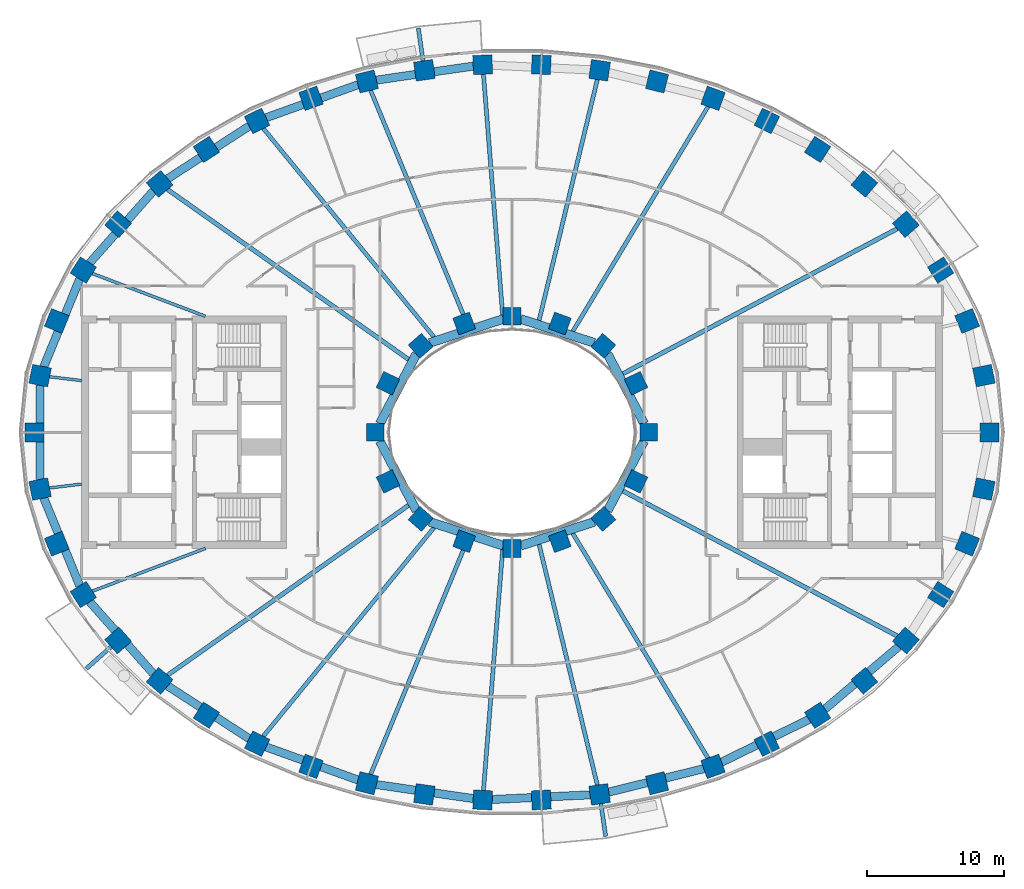
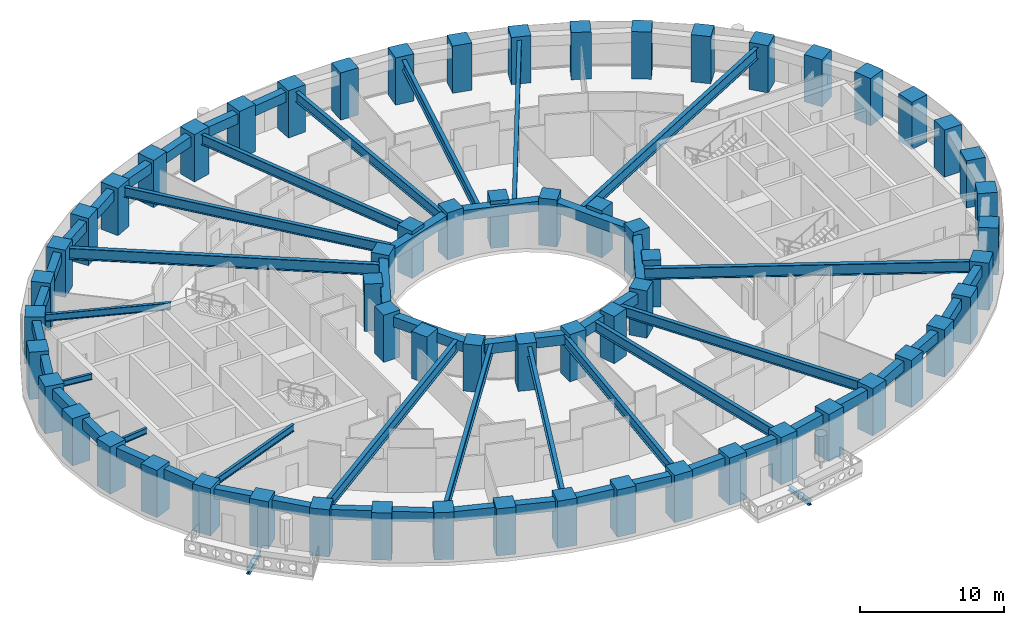
# One storey, part 1 of 16: 62 columns, 44 beams.
"""IFC4 building model written with IfcOpenShell, lengths in metres."""

import ifcopenshell
import ifcopenshell.guid

model = None  # the IFC model being written
_history = None  # IfcOwnerHistory: only IFC2X3 demands one
_inside = {}  # id of a spatial element -> (the spatial element, [elements in it])
_under = {}  # id of a project, library or spatial element -> (it, [spatial elements below it])
_declared = {}  # id of a project -> (the project, [libraries it declares])
_typed = {}  # id of a type object -> (the type object, [elements of that type])
_made_of = {}  # id of a material, layer set ... -> (it, [elements and type objects made of it])


def new_model(schema):
    """Start an empty IFC model of exactly this schema.

    Asked for "IFC4X3", IfcOpenShell would pick the latest addendum, in which some entities
    have other attributes; the version numbers below select the first issue.
    IFC2X3 requires an IfcOwnerHistory on every rooted entity: one is made here for all.
    """
    global model, _history
    if schema == "IFC4X3":
        model = ifcopenshell.file(schema_version=(4, 3, 0, 0))
    else:
        model = ifcopenshell.file(schema=schema)
    _inside.clear()
    _under.clear()
    _declared.clear()
    _typed.clear()
    _made_of.clear()
    _history = None
    if model.schema == "IFC2X3":
        org = make("IfcOrganization", Name="unknown")
        user = make(
            "IfcPersonAndOrganization",
            ThePerson=make("IfcPerson", FamilyName="unknown"),
            TheOrganization=org,
        )
        app = make(
            "IfcApplication",
            ApplicationDeveloper=org,
            Version="unknown",
            ApplicationFullName="unknown",
            ApplicationIdentifier="unknown",
        )
        _history = make(
            "IfcOwnerHistory",
            OwningUser=user,
            OwningApplication=app,
            ChangeAction="ADDED",
            CreationDate=0,
        )
    return model


def make(cls, **values):
    """One entity of the class cls with the attributes given. An attribute that is None is left unset."""
    return model.create_entity(
        cls, **{name: value for name, value in values.items() if value is not None}
    )


def rooted(cls, **values):
    """An entity with a GlobalId (a new one), such as an element, a storey or a relation."""
    return make(cls, GlobalId=ifcopenshell.guid.new(), OwnerHistory=_history, **values)


def si_unit(unit_type, name, prefix=None):
    """IfcSIUnit, for example si_unit("LENGTHUNIT", "METRE", prefix="MILLI")."""
    return make("IfcSIUnit", UnitType=unit_type, Prefix=prefix, Name=name)


def assignment(units):
    """IfcUnitAssignment: the units of a project."""
    return None if units is None else make("IfcUnitAssignment", Units=units)


def point(xyz):
    """IfcCartesianPoint."""
    return None if xyz is None else make("IfcCartesianPoint", Coordinates=xyz)


def direction(xyz):
    """IfcDirection."""
    return None if xyz is None else make("IfcDirection", DirectionRatios=xyz)


def frame(location, z_axis=None, x_axis=None):
    """IfcAxis2Placement3D, a coordinate frame: its origin and axes. An axis left out is left unset."""
    return make(
        "IfcAxis2Placement3D",
        Location=point(location),
        Axis=direction(z_axis),
        RefDirection=direction(x_axis),
    )


def frame_2d(location, x_axis=None):
    """IfcAxis2Placement2D, a coordinate frame in the plane: its origin and x axis."""
    return make(
        "IfcAxis2Placement2D", Location=point(location), RefDirection=direction(x_axis)
    )


def origin():
    """The frame at (0, 0, 0) with its axes left unset."""
    return frame((0.0, 0.0, 0.0))


def origin_2d():
    """The frame at (0, 0) in the plane with its x axis left unset."""
    return frame_2d((0.0, 0.0))


def place(relative_to, where):
    """IfcLocalPlacement: puts the frame where relative to a parent placement (None: the world)."""
    return make(
        "IfcLocalPlacement", PlacementRelTo=relative_to, RelativePlacement=where
    )


def context(
    kind, dimensions, precision=None, world=None, true_north=None, identifier=None
):
    """IfcGeometricRepresentationContext, for example the 3D "Model" context."""
    return make(
        "IfcGeometricRepresentationContext",
        ContextIdentifier=identifier,
        ContextType=kind,
        CoordinateSpaceDimension=dimensions,
        Precision=precision,
        WorldCoordinateSystem=world,
        TrueNorth=true_north,
    )


def subcontext(parent, identifier, kind, view, scale=None):
    """IfcGeometricRepresentationSubContext, for example "Body" below "Model"."""
    return make(
        "IfcGeometricRepresentationSubContext",
        ContextIdentifier=identifier,
        ContextType=kind,
        ParentContext=parent,
        TargetScale=scale,
        TargetView=view,
    )


def project(units=None, contexts=None):
    """IfcProject with its units and contexts."""
    return rooted(
        "IfcProject",
        Name="project",
        RepresentationContexts=contexts,
        UnitsInContext=assignment(units),
    )


def spatial(cls, under=None, at=None, **own):
    """A site, building, storey or space (cls), placed at a placement, below another one or the project."""
    s = rooted(cls, ObjectPlacement=at, **own)
    if under is not None:
        _under.setdefault(under.id(), (under, []))[1].append(s)
    return s


def profile(cls, at=None, kind="AREA", **sizes):
    """A parametric profile (cls). Its sizes go by their IFC names, for example OverallWidth=200.0."""
    return make(cls, ProfileType=kind, Position=at, **sizes)


def rectangle(**sizes):
    """IfcRectangleProfileDef."""
    return profile("IfcRectangleProfileDef", **sizes)


def i_section(**sizes):
    """IfcIShapeProfileDef."""
    return profile("IfcIShapeProfileDef", **sizes)


def extrude(swept, where, along, depth):
    """IfcExtrudedAreaSolid: the profile swept, set in the frame where, extruded along a direction by depth."""
    return make(
        "IfcExtrudedAreaSolid",
        SweptArea=swept,
        Position=where,
        ExtrudedDirection=direction(along),
        Depth=depth,
    )


def shape(context_of_items, identifier, shape_type, items):
    """IfcShapeRepresentation: the items that make up one representation, for example the "Body"."""
    return make(
        "IfcShapeRepresentation",
        ContextOfItems=context_of_items,
        RepresentationIdentifier=identifier,
        RepresentationType=shape_type,
        Items=items,
    )


def material(Name=None, Category=None):
    """IfcMaterial."""
    return make("IfcMaterial", Name=Name, Category=Category)


def material_profile(
    of_material, cross_section, Name=None, Category=None, Priority=None
):
    """IfcMaterialProfile: a cross section and its material."""
    return make(
        "IfcMaterialProfile",
        Name=Name,
        Material=of_material,
        Profile=cross_section,
        Priority=Priority,
        Category=Category,
    )


def profile_set(profiles, Name=None, composite=None):
    """IfcMaterialProfileSet."""
    return make(
        "IfcMaterialProfileSet",
        Name=Name,
        MaterialProfiles=profiles,
        CompositeProfile=composite,
    )


def made_of(thing, what):
    """Note that an element or type object is made of a material, layer set ...; save() writes the relation."""
    if what is not None:
        _made_of.setdefault(what.id(), (what, []))[1].append(thing)
    return thing


def type_object(cls, material=None, **own):
    """A type object (cls), such as IfcWallType, which elements share."""
    return made_of(rooted(cls, **own), material)


def element(
    cls,
    number,
    at=None,
    inside=None,
    cuts=None,
    type_object=None,
    material=None,
    context=None,
    identifier="Body",
    shape_type=None,
    held_by="IfcProductDefinitionShape",
    body=None,
    shapes=None,
    **own,
):
    """One element of the class cls, such as IfcWall. Its Tag is "e" and its number.

    at: its placement. inside: the storey or other place that contains it. cuts: it is an
    opening in that element (IfcRelVoidsElement). A single representation is given by context,
    identifier, shape_type and body (its items); several are given by shapes. held_by: the class
    of the entity that holds the representations. save() writes the other relations.
    """
    e = rooted(cls, Tag="e%d" % number, ObjectPlacement=at, **own)
    if body is not None:
        shapes = [shape(context, identifier, shape_type, body)]
    if shapes is not None:
        e.Representation = make(held_by, Representations=shapes)
    if inside is not None:
        _inside.setdefault(inside.id(), (inside, []))[1].append(e)
    if cuts is not None:
        rooted(
            "IfcRelVoidsElement", RelatingBuildingElement=cuts, RelatedOpeningElement=e
        )
    if type_object is not None:
        _typed.setdefault(type_object.id(), (type_object, []))[1].append(e)
    return made_of(e, material)


def aggregate(whole, parts):
    """IfcRelAggregates: a whole, such as a stair, and the parts it consists of."""
    return rooted("IfcRelAggregates", RelatingObject=whole, RelatedObjects=parts)


def save(model, path):
    """Write the relations noted so far, then the file.

    IfcRelAggregates (storeys below a building ...), IfcRelContainedInSpatialStructure (elements
    in a storey), IfcRelDefinesByType, IfcRelAssociatesMaterial and IfcRelDeclares: one each for
    every whole, place, type object, material and project.
    """
    for whole, parts in _under.values():
        aggregate(whole, parts)
    for where, things in _inside.values():
        rooted(
            "IfcRelContainedInSpatialStructure",
            RelatedElements=things,
            RelatingStructure=where,
        )
    for kind, things in _typed.values():
        rooted("IfcRelDefinesByType", RelatedObjects=things, RelatingType=kind)
    for what, things in _made_of.values():
        rooted("IfcRelAssociatesMaterial", RelatedObjects=things, RelatingMaterial=what)
    for by, libraries in _declared.values():
        rooted("IfcRelDeclares", RelatingContext=by, RelatedDefinitions=libraries)
    model.write(path)


model = new_model("IFC4")

# Units and contexts
model_context = context("Model", 3, precision=1e-05, world=origin(), true_north=direction((0.0, 1.0)))
body_context = subcontext(model_context, "Body", "Model", "MODEL_VIEW")
ifc_project = project(units=[si_unit("LENGTHUNIT", "METRE"), si_unit("AREAUNIT", "SQUARE_METRE"), si_unit("VOLUMEUNIT", "CUBIC_METRE"), si_unit("PLANEANGLEUNIT", "RADIAN"), si_unit("MASSUNIT", "GRAM", prefix="KILO")], contexts=[model_context])

# Site, building, storey
site_placement = place(None, origin())
site = spatial("IfcSite", under=ifc_project, at=site_placement, CompositionType="ELEMENT")
building_placement = place(site_placement, origin())
building = spatial("IfcBuilding", under=site, at=building_placement, Name="Noorbagh Ring Tower", CompositionType="ELEMENT")
storey_placement = place(building_placement, frame((0.0, 0.0, 78.5)))
storey = spatial("IfcBuildingStorey", under=building, at=storey_placement, Name="L17", CompositionType="ELEMENT", Elevation=78.5)

# Columns
ifc_material_1 = material(Name="Concrete C70/85", Category="concrete")
ifc_material_profile_1 = material_profile(ifc_material_1, rectangle(XDim=1.39990234375, YDim=1.39990234375, at=origin_2d()), Name="RC1400x1400")
ifc_profile_set_1 = profile_set([ifc_material_profile_1], Name="Concrete C70/85")
column_type_1 = type_object("IfcColumnType", Name="STR-COL-RC1400x1400-C70-85", PredefinedType="COLUMN", material=ifc_profile_set_1)
for number, where, z_axis, x_axis, name in (
    (1, (34.944580078125, 0.0, 0.0), (0.0, 0.0, 1.0), (0.0, 1.0, 0.0), "L17/col/R1-01"),
    (2, (34.52685546875, 4.150634765625, 0.0), (0.0, 0.0, 1.0), (-0.19723040178, 0.9803571638, 0.0), "L17/col/R1-02"),
    (3, (33.30517578125, 8.1494140625, 0.0), (0.0, 0.0, 1.0), (-0.378989499959, 0.925400971969, 0.0), "L17/col/R1-03"),
    (4, (31.364990234375, 11.87109375, 0.0), (0.0, 0.0, 1.0), (-0.535190403059, 0.844731455833, 0.0), "L17/col/R1-04"),
    (5, (28.81884765625, 15.23046875, 0.0), (0.0, 0.0, 1.0), (-0.662635642662, 0.748941923699, 0.0), "L17/col/R1-05"),
    (6, (25.78271484375, 18.180419921875, 0.0), (0.0, 0.0, 1.0), (-0.763035199656, 0.646356932419, 0.0), "L17/col/R1-06"),
    (7, (22.362060546875, 20.699951171875, 0.0), (0.0, 0.0, 1.0), (-0.840247639643, 0.542202825586, 0.0), "L17/col/R1-07"),
    (8, (18.646240234375, 22.785400390625, 0.0), (0.0, 0.0, 1.0), (-0.898399080868, 0.439180021741, 0.0), "L17/col/R1-08"),
    (9, (14.70947265625, 24.44091796875, 0.0), (0.0, 0.0, 1.0), (-0.941024726094, 0.338337797003, 0.0), "L17/col/R1-09"),
    (10, (10.61328125, 25.673583984375, 0.0), (0.0, 0.0, 1.0), (-0.970829360981, 0.239771457553, 0.0), "L17/col/R1-10"),
    (11, (6.4091796875, 26.49072265625, 0.0), (0.0, 0.0, 1.0), (-0.989713114048, 0.143066249975, 0.0), "L17/col/R1-11"),
    (12, (2.14306640625, 26.89794921875, 0.0), (0.0, 0.0, 1.0), (-0.998868731212, 0.047552684538, 0.0), "L17/col/R1-12"),
    (13, (-2.14306640625, 26.89794921875, 0.0), (0.0, 0.0, 1.0), (-0.998868731212, -0.047552684538, 0.0), "L17/col/R1-13"),
    (14, (-6.4091796875, 26.49072265625, 0.0), (0.0, 0.0, 1.0), (-0.989713114048, -0.143066249975, 0.0), "L17/col/R1-14"),
    (15, (-10.61328125, 25.673583984375, 0.0), (0.0, 0.0, 1.0), (-0.970829360981, -0.239771457553, 0.0), "L17/col/R1-15"),
    (16, (-14.70947265625, 24.44091796875, 0.0), (0.0, 0.0, 1.0), (-0.941024726094, -0.338337797003, 0.0), "L17/col/R1-16"),
    (17, (-18.646240234375, 22.785400390625, 0.0), (0.0, 0.0, 1.0), (-0.898399080868, -0.439180021741, 0.0), "L17/col/R1-17"),
    (18, (-22.362060546875, 20.699951171875, 0.0), (0.0, 0.0, 1.0), (-0.840247639643, -0.542202825586, 0.0), "L17/col/R1-18"),
    (19, (-25.78271484375, 18.180419921875, 0.0), (0.0, 0.0, 1.0), (-0.763035199656, -0.646356932419, 0.0), "L17/col/R1-19"),
    (20, (-28.81884765625, 15.23046875, 0.0), (0.0, 0.0, 1.0), (-0.662635642662, -0.748941923699, 0.0), "L17/col/R1-20"),
    (21, (-31.364990234375, 11.87109375, 0.0), (0.0, 0.0, 1.0), (-0.535190403059, -0.844731455833, 0.0), "L17/col/R1-21"),
    (22, (-33.30517578125, 8.1494140625, 0.0), (0.0, 0.0, 1.0), (-0.378989499959, -0.925400971969, 0.0), "L17/col/R1-22"),
    (23, (-34.52685546875, 4.150634765625, 0.0), (0.0, 0.0, 1.0), (-0.19723040178, -0.9803571638, 0.0), "L17/col/R1-23"),
    (24, (-34.944580078125, 0.0, 0.0), (0.0, 0.0, 1.0), (0.0, -1.0, 0.0), "L17/col/R1-24"),
    (25, (-34.52685546875, -4.150634765625, 0.0), (0.0, 0.0, 1.0), (0.19723040178, -0.9803571638, 0.0), "L17/col/R1-25"),
    (26, (-33.30517578125, -8.1494140625, 0.0), (0.0, 0.0, 1.0), (0.378989499959, -0.925400971969, 0.0), "L17/col/R1-26"),
    (27, (-31.364990234375, -11.87109375, 0.0), (0.0, 0.0, 1.0), (0.535190403059, -0.844731455833, 0.0), "L17/col/R1-27"),
    (28, (-28.81884765625, -15.23046875, 0.0), (0.0, 0.0, 1.0), (0.662635642662, -0.748941923699, 0.0), "L17/col/R1-28"),
    (29, (-25.78271484375, -18.180419921875, 0.0), (0.0, 0.0, 1.0), (0.763035199656, -0.646356932419, 0.0), "L17/col/R1-29"),
    (30, (-22.362060546875, -20.699951171875, 0.0), (0.0, 0.0, 1.0), (0.840247639643, -0.542202825586, 0.0), "L17/col/R1-30"),
    (31, (-18.646240234375, -22.785400390625, 0.0), (0.0, 0.0, 1.0), (0.898399080868, -0.439180021741, 0.0), "L17/col/R1-31"),
    (32, (-14.70947265625, -24.44091796875, 0.0), (0.0, 0.0, 1.0), (0.941024726094, -0.338337797003, 0.0), "L17/col/R1-32"),
    (33, (-10.61328125, -25.673583984375, 0.0), (0.0, 0.0, 1.0), (0.970829360981, -0.239771457553, 0.0), "L17/col/R1-33"),
    (34, (-6.4091796875, -26.49072265625, 0.0), (0.0, 0.0, 1.0), (0.989713114048, -0.143066249975, 0.0), "L17/col/R1-34"),
    (35, (-2.14306640625, -26.89794921875, 0.0), (0.0, 0.0, 1.0), (0.998868731212, -0.047552684538, 0.0), "L17/col/R1-35"),
    (36, (2.14306640625, -26.89794921875, 0.0), (0.0, 0.0, 1.0), (0.998868731212, 0.047552684538, 0.0), "L17/col/R1-36"),
    (37, (6.4091796875, -26.49072265625, 0.0), (0.0, 0.0, 1.0), (0.989713114048, 0.143066249975, 0.0), "L17/col/R1-37"),
    (38, (10.61328125, -25.673583984375, 0.0), (0.0, 0.0, 1.0), (0.970829360981, 0.239771457553, 0.0), "L17/col/R1-38"),
    (39, (14.70947265625, -24.44091796875, 0.0), (0.0, 0.0, 1.0), (0.941024726094, 0.338337797003, 0.0), "L17/col/R1-39"),
    (40, (18.646240234375, -22.785400390625, 0.0), (0.0, 0.0, 1.0), (0.898399080868, 0.439180021741, 0.0), "L17/col/R1-40"),
    (41, (22.362060546875, -20.699951171875, 0.0), (0.0, 0.0, 1.0), (0.840247639643, 0.542202825586, 0.0), "L17/col/R1-41"),
    (42, (25.78271484375, -18.180419921875, 0.0), (0.0, 0.0, 1.0), (0.763035199656, 0.646356932419, 0.0), "L17/col/R1-42"),
    (43, (28.81884765625, -15.23046875, 0.0), (0.0, 0.0, 1.0), (0.662635642662, 0.748941923699, 0.0), "L17/col/R1-43"),
    (44, (31.364990234375, -11.87109375, 0.0), (0.0, 0.0, 1.0), (0.535190403059, 0.844731455833, 0.0), "L17/col/R1-44"),
    (45, (33.30517578125, -8.1494140625, 0.0), (0.0, 0.0, 1.0), (0.378989499959, 0.925400971969, 0.0), "L17/col/R1-45"),
    (46, (34.52685546875, -4.150634765625, 0.0), (0.0, 0.0, 1.0), (0.19723040178, 0.9803571638, 0.0), "L17/col/R1-46"),
):
    element("IfcColumn", number, at=place(storey_placement, frame(where, z_axis=z_axis, x_axis=x_axis)), inside=storey, type_object=column_type_1, Name=name, PredefinedType="COLUMN", context=body_context, shape_type="SweptSolid", body=[
        extrude(rectangle(XDim=1.39990234375, YDim=1.39990234375, at=origin_2d()), origin(), (0.0, 0.0, 1.0), 4.0),
    ])
ifc_material_2 = material(Name="Concrete C70/85", Category="concrete")
ifc_material_profile_2 = material_profile(ifc_material_2, rectangle(XDim=1.300048828125, YDim=1.300048828125, at=origin_2d()), Name="RC1300x1300")
ifc_profile_set_2 = profile_set([ifc_material_profile_2], Name="Concrete C70/85")
column_type_2 = type_object("IfcColumnType", Name="STR-ICOL-RC1300x1300-C70-85", PredefinedType="COLUMN", material=ifc_profile_set_2)
for number, where, z_axis, x_axis, name in (
    (47, (10.00830078125, 0.0, 0.0), (0.0, 0.0, 1.0), (0.0, 1.0, 0.0), "L17/col/IR2-W01"),
    (48, (9.07568359375, 3.58837890625, 0.0), (0.0, 0.0, 1.0), (-0.428666979171, 0.903462573087, 0.0), "L17/col/IR2-W03"),
    (49, (6.68212890625, 6.333740234375, 0.0), (0.0, 0.0, 1.0), (-0.75102249095, 0.660276622399, 0.0), "L17/col/IR2-W05"),
    (50, (3.5009765625, 7.967041015625, 0.0), (0.0, 0.0, 1.0), (-0.939019578916, 0.343863679984, 0.0), "L17/col/IR2-W07"),
    (51, (0.0, 8.5029296875, 0.0), (0.0, 0.0, 1.0), (-1.0, 0.0, 0.0), "L17/col/IR2-W09"),
    (52, (-3.5009765625, 7.967041015625, 0.0), (0.0, 0.0, 1.0), (-0.939019578916, -0.343863679984, 0.0), "L17/col/IR2-W11"),
    (53, (-6.68212890625, 6.333740234375, 0.0), (0.0, 0.0, 1.0), (-0.75102249095, -0.660276622399, 0.0), "L17/col/IR2-W13"),
    (54, (-9.07568359375, 3.58837890625, 0.0), (0.0, 0.0, 1.0), (-0.428666979171, -0.903462573087, 0.0), "L17/col/IR2-W15"),
    (55, (-10.00830078125, 0.0, 0.0), (0.0, 0.0, 1.0), (0.0, -1.0, 0.0), "L17/col/IR2-W17"),
    (56, (-9.07568359375, -3.58837890625, 0.0), (0.0, 0.0, 1.0), (0.428666979171, -0.903462573087, 0.0), "L17/col/IR2-W19"),
    (57, (-6.68212890625, -6.333740234375, 0.0), (0.0, 0.0, 1.0), (0.75102249095, -0.660276622399, 0.0), "L17/col/IR2-W21"),
    (58, (-3.5009765625, -7.967041015625, 0.0), (0.0, 0.0, 1.0), (0.939019578916, -0.343863679984, 0.0), "L17/col/IR2-W23"),
    (59, (0.0, -8.5029296875, 0.0), (0.0, 0.0, 1.0), (1.0, 0.0, 0.0), "L17/col/IR2-W25"),
    (60, (3.5009765625, -7.967041015625, 0.0), (0.0, 0.0, 1.0), (0.939019578916, 0.343863679984, 0.0), "L17/col/IR2-W27"),
    (61, (6.68212890625, -6.333740234375, 0.0), (0.0, 0.0, 1.0), (0.75102249095, 0.660276622399, 0.0), "L17/col/IR2-W29"),
    (62, (9.07568359375, -3.58837890625, 0.0), (0.0, 0.0, 1.0), (0.428666979171, 0.903462573087, 0.0), "L17/col/IR2-W31"),
):
    element("IfcColumn", number, at=place(storey_placement, frame(where, z_axis=z_axis, x_axis=x_axis)), inside=storey, type_object=column_type_2, Name=name, PredefinedType="COLUMN", context=body_context, shape_type="SweptSolid", body=[
        extrude(rectangle(XDim=1.300048828125, YDim=1.300048828125, at=origin_2d()), origin(), (0.0, 0.0, 1.0), 4.0),
    ])

# Beams
ifc_material_3 = material(Name="Steel S355", Category="steel")
ifc_material_profile_3 = material_profile(ifc_material_3, i_section(OverallWidth=0.300048828125, OverallDepth=0.39990234375, WebThickness=0.013427734375, FlangeThickness=0.02392578125, FilletRadius=0.027099609375, at=origin_2d()), Name="HEB400")
ifc_profile_set_3 = profile_set([ifc_material_profile_3], Name="Steel S355")
beam_type_1 = type_object("IfcBeamType", Name="STR-BALCONY-BRACKET-HEB400", PredefinedType="BEAM", material=ifc_profile_set_3)
beam_1_placement = place(storey_placement, frame((-6.506591796875, 27.163818359375, -0.5), z_axis=(-0.143028732143, 0.989718536646, 0.0), x_axis=(-0.989718536646, -0.143028732143, 0.0)))
element("IfcBeam", 63, at=beam_1_placement, inside=storey, type_object=beam_type_1, Name="Balcony bracket beam BN04", PredefinedType="BEAM", context=body_context, shape_type="SweptSolid", body=[
    extrude(i_section(OverallWidth=0.300048828125, OverallDepth=0.39990234375, WebThickness=0.013427734375, FlangeThickness=0.02392578125, FilletRadius=0.027099609375, at=origin_2d()), origin(), (0.0, 0.0, 1.0), 2.423828125),
])
beam_2_placement = place(storey_placement, frame((-29.328125, -15.680908203125, -0.5), z_axis=(-0.74904259367, -0.662521843314, 0.0), x_axis=(0.662521843314, -0.74904259367, 0.0)))
element("IfcBeam", 64, at=beam_2_placement, inside=storey, type_object=beam_type_1, Name="Balcony bracket beam BS01", PredefinedType="BEAM", context=body_context, shape_type="SweptSolid", body=[
    extrude(i_section(OverallWidth=0.300048828125, OverallDepth=0.39990234375, WebThickness=0.013427734375, FlangeThickness=0.02392578125, FilletRadius=0.027099609375, at=origin_2d()), origin(), (0.0, 0.0, 1.0), 2.429443359375),
])
beam_3_placement = place(storey_placement, frame((6.506591796875, -27.163818359375, -0.5), z_axis=(0.143028732143, -0.989718536646, 0.0), x_axis=(0.989718536646, 0.143028732143, 0.0)))
element("IfcBeam", 65, at=beam_3_placement, inside=storey, type_object=beam_type_1, Name="Balcony bracket beam BS04", PredefinedType="BEAM", context=body_context, shape_type="SweptSolid", body=[
    extrude(i_section(OverallWidth=0.300048828125, OverallDepth=0.39990234375, WebThickness=0.013427734375, FlangeThickness=0.02392578125, FilletRadius=0.027099609375, at=origin_2d()), origin(), (0.0, 0.0, 1.0), 2.423828125),
])
ifc_material_4 = material(Name="Steel S355", Category="steel")
ifc_material_profile_4 = material_profile(ifc_material_4, i_section(OverallWidth=0.199951171875, OverallDepth=0.5, WebThickness=0.01025390625, FlangeThickness=0.01611328125, FilletRadius=0.02099609375, at=origin_2d()), Name="IPE500")
ifc_profile_set_4 = profile_set([ifc_material_profile_4], Name="Steel S355")
beam_type_2 = type_object("IfcBeamType", Name="STR-RAD-IPE500", PredefinedType="BEAM", material=ifc_profile_set_4)
for number, where, z_axis, x_axis, name in (
    (66, (-33.849365234375, 4.0693359375, 3.449951171875), (0.992846305677, -0.119399385689, 0.0), (0.119399385689, 0.992846305677, 0.0), "L17/bm/RD23"),
    (67, (-33.849365234375, -4.0693359375, 3.449951171875), (0.992846305677, 0.119399385689, 0.0), (-0.119399385689, 0.992846305677, 0.0), "L17/bm/RD25"),
):
    element("IfcBeam", number, at=place(storey_placement, frame(where, z_axis=z_axis, x_axis=x_axis)), inside=storey, type_object=beam_type_2, Name=name, PredefinedType="BEAM", context=body_context, shape_type="SweptSolid", body=[
        extrude(i_section(OverallWidth=0.199951171875, OverallDepth=0.5, WebThickness=0.01025390625, FlangeThickness=0.01611328125, FilletRadius=0.02099609375, at=origin_2d()), origin(), (0.0, 0.0, 1.0), 2.38623046875),
    ])
ifc_material_5 = material(Name="Steel S355", Category="steel")
ifc_material_profile_5 = material_profile(ifc_material_5, i_section(OverallWidth=0.219970703125, OverallDepth=0.60009765625, WebThickness=0.011962890625, FlangeThickness=0.01904296875, FilletRadius=0.02392578125, at=origin_2d()), Name="IPE600")
ifc_profile_set_5 = profile_set([ifc_material_profile_5], Name="Steel S355")
beam_type_3 = type_object("IfcBeamType", Name="STR-RAD-IPE600", PredefinedType="BEAM", material=ifc_profile_set_5)
for number, where, z_axis, x_axis, name in (
    (68, (-30.71533203125, 11.625, 3.39990234375), (0.935257869922, -0.353967112524, 0.0), (0.353967112524, 0.935257869922, 0.0), "L17/bm/RD21"),
    (69, (-30.71533203125, -11.625, 3.39990234375), (0.935257869922, 0.353967112524, 0.0), (-0.353967112524, 0.935257869922, 0.0), "L17/bm/RD27"),
):
    element("IfcBeam", number, at=place(storey_placement, frame(where, z_axis=z_axis, x_axis=x_axis)), inside=storey, type_object=beam_type_3, Name=name, PredefinedType="BEAM", context=body_context, shape_type="SweptSolid", body=[
        extrude(i_section(OverallWidth=0.219970703125, OverallDepth=0.60009765625, WebThickness=0.011962890625, FlangeThickness=0.01904296875, FilletRadius=0.02392578125, at=origin_2d()), origin(), (0.0, 0.0, 1.0), 8.848388671875),
    ])
ifc_material_6 = material(Name="Steel S355", Category="steel")
ifc_material_profile_6 = material_profile(ifc_material_6, i_section(OverallWidth=0.300048828125, OverallDepth=0.85009765625, WebThickness=0.013916015625, FlangeThickness=0.028076171875, at=origin_2d()), Name="PG850x300x14x28")
ifc_profile_set_6 = profile_set([ifc_material_profile_6], Name="Steel S355")
beam_type_4 = type_object("IfcBeamType", Name="STR-RAD-PG850x300x14x28", PredefinedType="BEAM", material=ifc_profile_set_6)
beam_4_placement = place(storey_placement, frame((14.351806640625, 23.846435546875, 3.27490234375), z_axis=(-0.515659258166, -0.856793749667, 0.0), x_axis=(0.856793749667, -0.515659258166, 0.0)))
element("IfcBeam", 70, at=beam_4_placement, inside=storey, type_object=beam_type_4, Name="L17/bm/RD09", PredefinedType="BEAM", context=body_context, shape_type="SweptSolid", body=[
    extrude(i_section(OverallWidth=0.300048828125, OverallDepth=0.85009765625, WebThickness=0.013916015625, FlangeThickness=0.028076171875, at=origin_2d()), origin(), (0.0, 0.0, 1.0), 19.216552734375),
])
beam_5_placement = place(storey_placement, frame((6.24853515625, 25.826904296875, 3.27490234375), z_axis=(-0.235159307557, -0.971956840641, 0.0), x_axis=(0.971956840641, -0.235159307557, 0.0)))
element("IfcBeam", 71, at=beam_5_placement, inside=storey, type_object=beam_type_4, Name="L17/bm/RD11", PredefinedType="BEAM", context=body_context, shape_type="SweptSolid", body=[
    extrude(i_section(OverallWidth=0.300048828125, OverallDepth=0.85009765625, WebThickness=0.013916015625, FlangeThickness=0.028076171875, at=origin_2d()), origin(), (0.0, 0.0, 1.0), 18.15478515625),
])
beam_6_placement = place(storey_placement, frame((-2.089111328125, 26.2197265625, 3.27490234375), z_axis=(0.079423302335, -0.996840979819, 0.0), x_axis=(0.996840979819, 0.079423302335, 0.0)))
element("IfcBeam", 72, at=beam_6_placement, inside=storey, type_object=beam_type_4, Name="L17/bm/RD13", PredefinedType="BEAM", context=body_context, shape_type="SweptSolid", body=[
    extrude(i_section(OverallWidth=0.300048828125, OverallDepth=0.85009765625, WebThickness=0.013916015625, FlangeThickness=0.028076171875, at=origin_2d()), origin(), (0.0, 0.0, 1.0), 17.874755859375),
])
beam_7_placement = place(storey_placement, frame((-10.350341796875, 25.037841796875, 3.27490234375), z_axis=(0.382027684337, -0.924150879673, 0.0), x_axis=(0.924150879673, 0.382027684337, 0.0)))
element("IfcBeam", 73, at=beam_7_placement, inside=storey, type_object=beam_type_4, Name="L17/bm/RD15", PredefinedType="BEAM", context=body_context, shape_type="SweptSolid", body=[
    extrude(i_section(OverallWidth=0.300048828125, OverallDepth=0.85009765625, WebThickness=0.013916015625, FlangeThickness=0.028076171875, at=origin_2d()), origin(), (0.0, 0.0, 1.0), 18.6748046875),
])
for number, where, z_axis, x_axis, name in (
    (74, (-18.20361328125, 22.244384765625, 3.27490234375), (0.633313916814, -0.773895007588, 0.0), (0.773895007588, 0.633313916814, 0.0), "L17/bm/RD17"),
    (75, (-18.20361328125, -22.244384765625, 3.27490234375), (0.633313916814, 0.773895007588, 0.0), (-0.773895007588, 0.633313916814, 0.0), "L17/bm/RD31"),
):
    element("IfcBeam", number, at=place(storey_placement, frame(where, z_axis=z_axis, x_axis=x_axis)), inside=storey, type_object=beam_type_4, Name=name, PredefinedType="BEAM", context=body_context, shape_type="SweptSolid", body=[
        extrude(i_section(OverallWidth=0.300048828125, OverallDepth=0.85009765625, WebThickness=0.013916015625, FlangeThickness=0.028076171875, at=origin_2d()), origin(), (0.0, 0.0, 1.0), 19.733642578125),
    ])
beam_8_placement = place(storey_placement, frame((-10.350341796875, -25.037841796875, 3.27490234375), z_axis=(0.382027684337, 0.924150879673, 0.0), x_axis=(-0.924150879673, 0.382027684337, 0.0)))
element("IfcBeam", 76, at=beam_8_placement, inside=storey, type_object=beam_type_4, Name="L17/bm/RD33", PredefinedType="BEAM", context=body_context, shape_type="SweptSolid", body=[
    extrude(i_section(OverallWidth=0.300048828125, OverallDepth=0.85009765625, WebThickness=0.013916015625, FlangeThickness=0.028076171875, at=origin_2d()), origin(), (0.0, 0.0, 1.0), 18.6748046875),
])
beam_9_placement = place(storey_placement, frame((-2.089111328125, -26.2197265625, 3.27490234375), z_axis=(0.079423302335, 0.996840979819, 0.0), x_axis=(-0.996840979819, 0.079423302335, 0.0)))
element("IfcBeam", 77, at=beam_9_placement, inside=storey, type_object=beam_type_4, Name="L17/bm/RD35", PredefinedType="BEAM", context=body_context, shape_type="SweptSolid", body=[
    extrude(i_section(OverallWidth=0.300048828125, OverallDepth=0.85009765625, WebThickness=0.013916015625, FlangeThickness=0.028076171875, at=origin_2d()), origin(), (0.0, 0.0, 1.0), 17.874755859375),
])
beam_10_placement = place(storey_placement, frame((6.24853515625, -25.826904296875, 3.27490234375), z_axis=(-0.235159307557, 0.971956840641, 0.0), x_axis=(-0.971956840641, -0.235159307557, 0.0)))
element("IfcBeam", 78, at=beam_10_placement, inside=storey, type_object=beam_type_4, Name="L17/bm/RD37", PredefinedType="BEAM", context=body_context, shape_type="SweptSolid", body=[
    extrude(i_section(OverallWidth=0.300048828125, OverallDepth=0.85009765625, WebThickness=0.013916015625, FlangeThickness=0.028076171875, at=origin_2d()), origin(), (0.0, 0.0, 1.0), 18.15478515625),
])
beam_11_placement = place(storey_placement, frame((14.351806640625, -23.846435546875, 3.27490234375), z_axis=(-0.515659258166, 0.856793749667, 0.0), x_axis=(-0.856793749667, -0.515659258166, 0.0)))
element("IfcBeam", 79, at=beam_11_placement, inside=storey, type_object=beam_type_4, Name="L17/bm/RD39", PredefinedType="BEAM", context=body_context, shape_type="SweptSolid", body=[
    extrude(i_section(OverallWidth=0.300048828125, OverallDepth=0.85009765625, WebThickness=0.013916015625, FlangeThickness=0.028076171875, at=origin_2d()), origin(), (0.0, 0.0, 1.0), 19.216552734375),
])
ifc_material_7 = material(Name="Steel S355", Category="steel")
ifc_material_profile_7 = material_profile(ifc_material_7, i_section(OverallWidth=0.320068359375, OverallDepth=0.949951171875, WebThickness=0.01611328125, FlangeThickness=0.030029296875, at=origin_2d()), Name="PG950x320x16x30")
ifc_profile_set_7 = profile_set([ifc_material_profile_7], Name="Steel S355")
beam_type_5 = type_object("IfcBeamType", Name="STR-RAD-PG950x320x16x30", PredefinedType="BEAM", material=ifc_profile_set_7)
beam_12_placement = place(storey_placement, frame((28.19970703125, 14.9033203125, 3.22509765625), z_axis=(-0.884122895435, -0.467254433652, 0.0), x_axis=(0.467254433652, -0.884122895435, 0.0)))
element("IfcBeam", 80, at=beam_12_placement, inside=storey, type_object=beam_type_5, Name="L17/bm/RD05", PredefinedType="BEAM", context=body_context, shape_type="SweptSolid", body=[
    extrude(i_section(OverallWidth=0.320068359375, OverallDepth=0.949951171875, WebThickness=0.01611328125, FlangeThickness=0.030029296875, at=origin_2d()), origin(), (0.0, 0.0, 1.0), 22.729736328125),
])
for number, where, z_axis, x_axis, name in (
    (81, (-25.2080078125, 17.775146484375, 3.22509765625), (0.817254380301, -0.576277084291, 0.0), (0.576277084291, 0.817254380301, 0.0), "L17/bm/RD19"),
    (82, (-25.2080078125, -17.775146484375, 3.22509765625), (0.817254380301, 0.576277084291, 0.0), (-0.576277084291, 0.817254380301, 0.0), "L17/bm/RD29"),
):
    element("IfcBeam", number, at=place(storey_placement, frame(where, z_axis=z_axis, x_axis=x_axis)), inside=storey, type_object=beam_type_5, Name=name, PredefinedType="BEAM", context=body_context, shape_type="SweptSolid", body=[
        extrude(i_section(OverallWidth=0.320068359375, OverallDepth=0.949951171875, WebThickness=0.01611328125, FlangeThickness=0.030029296875, at=origin_2d()), origin(), (0.0, 0.0, 1.0), 21.599853515625),
    ])
beam_13_placement = place(storey_placement, frame((28.19970703125, -14.9033203125, 3.22509765625), z_axis=(-0.884122895435, 0.467254433652, 0.0), x_axis=(-0.467254433652, -0.884122895435, 0.0)))
element("IfcBeam", 83, at=beam_13_placement, inside=storey, type_object=beam_type_5, Name="L17/bm/RD43", PredefinedType="BEAM", context=body_context, shape_type="SweptSolid", body=[
    extrude(i_section(OverallWidth=0.320068359375, OverallDepth=0.949951171875, WebThickness=0.01611328125, FlangeThickness=0.030029296875, at=origin_2d()), origin(), (0.0, 0.0, 1.0), 22.729736328125),
])
ifc_material_8 = material(Name="Concrete C40/50", Category="concrete")
ifc_material_profile_8 = material_profile(ifc_material_8, rectangle(XDim=0.64990234375, YDim=0.85009765625, at=origin_2d()), Name="RC650x850")
ifc_profile_set_8 = profile_set([ifc_material_profile_8], Name="Concrete C40/50")
beam_type_6 = type_object("IfcBeamType", Name="STR-RB-RC650x850-C40-50", PredefinedType="BEAM", material=ifc_profile_set_8)
beam_14_placement = place(storey_placement, frame((9.67626953125, 0.63232421875, 3.27490234375), z_axis=(-0.464932685401, 0.885346032942, 0.0), x_axis=(-0.885346032942, -0.464932685401, 0.0)))
element("IfcBeam", 84, at=beam_14_placement, inside=storey, type_object=beam_type_6, Name="L17/bm/RG01", PredefinedType="BEAM", context=body_context, shape_type="SweptSolid", body=[
    extrude(rectangle(XDim=0.64990234375, YDim=0.85009765625, at=origin_2d()), origin(), (0.0, 0.0, 1.0), 5.763671875),
])
for number, where, z_axis, x_axis, name in (
    (85, (6.02783203125, 6.546142578125, 3.27490234375), (-0.95114088461, 0.308757214691, 0.0), (-0.308757214691, -0.95114088461, 0.0), "L17/bm/RG03"),
    (86, (-0.630859375, 8.298095703125, 3.27490234375), (-0.95114088461, -0.308757214691, 0.0), (0.308757214691, -0.95114088461, 0.0), "L17/bm/RG05"),
):
    element("IfcBeam", number, at=place(storey_placement, frame(where, z_axis=z_axis, x_axis=x_axis)), inside=storey, type_object=beam_type_6, Name=name, PredefinedType="BEAM", context=body_context, shape_type="SweptSolid", body=[
        extrude(rectangle(XDim=0.64990234375, YDim=0.85009765625, at=origin_2d()), origin(), (0.0, 0.0, 1.0), 5.67431640625),
    ])
for number, where, z_axis, x_axis, name in (
    (87, (-6.99658203125, 5.735107421875, 3.27490234375), (-0.464932685401, -0.885346032942, 0.0), (0.885346032942, -0.464932685401, 0.0), "L17/bm/RG07"),
    (88, (-9.67626953125, -0.63232421875, 3.27490234375), (0.464932685401, -0.885346032942, 0.0), (0.885346032942, 0.464932685401, 0.0), "L17/bm/RG09"),
):
    element("IfcBeam", number, at=place(storey_placement, frame(where, z_axis=z_axis, x_axis=x_axis)), inside=storey, type_object=beam_type_6, Name=name, PredefinedType="BEAM", context=body_context, shape_type="SweptSolid", body=[
        extrude(rectangle(XDim=0.64990234375, YDim=0.85009765625, at=origin_2d()), origin(), (0.0, 0.0, 1.0), 5.763671875),
    ])
for number, where, z_axis, x_axis, name in (
    (89, (-6.02783203125, -6.546142578125, 3.27490234375), (0.95114088461, -0.308757214691, 0.0), (0.308757214691, 0.95114088461, 0.0), "L17/bm/RG11"),
    (90, (0.630859375, -8.298095703125, 3.27490234375), (0.95114088461, 0.308757214691, 0.0), (-0.308757214691, 0.95114088461, 0.0), "L17/bm/RG13"),
):
    element("IfcBeam", number, at=place(storey_placement, frame(where, z_axis=z_axis, x_axis=x_axis)), inside=storey, type_object=beam_type_6, Name=name, PredefinedType="BEAM", context=body_context, shape_type="SweptSolid", body=[
        extrude(rectangle(XDim=0.64990234375, YDim=0.85009765625, at=origin_2d()), origin(), (0.0, 0.0, 1.0), 5.67431640625),
    ])
beam_15_placement = place(storey_placement, frame((6.99658203125, -5.735107421875, 3.27490234375), z_axis=(0.464932685401, 0.885346032942, 0.0), x_axis=(-0.885346032942, 0.464932685401, 0.0)))
element("IfcBeam", 91, at=beam_15_placement, inside=storey, type_object=beam_type_6, Name="L17/bm/RG15", PredefinedType="BEAM", context=body_context, shape_type="SweptSolid", body=[
    extrude(rectangle(XDim=0.64990234375, YDim=0.85009765625, at=origin_2d()), origin(), (0.0, 0.0, 1.0), 5.763671875),
])
ifc_material_9 = material(Name="Concrete C40/50", Category="concrete")
ifc_material_profile_9 = material_profile(ifc_material_9, rectangle(XDim=0.60009765625, YDim=0.85009765625, at=origin_2d()), Name="RC600x850")
ifc_profile_set_9 = profile_set([ifc_material_profile_9], Name="Concrete C40/50")
beam_type_7 = type_object("IfcBeamType", Name="STR-SB-RC600x850-C40-50", PredefinedType="BEAM", material=ifc_profile_set_9)
beam_16_placement = place(storey_placement, frame((-2.8193359375, 26.80029296875, 3.27490234375), z_axis=(-0.989713887857, -0.143060896766, 0.0), x_axis=(0.143060896766, -0.989713887857, 0.0)))
element("IfcBeam", 92, at=beam_16_placement, inside=storey, type_object=beam_type_7, Name="L17/bm/SP13", PredefinedType="BEAM", context=body_context, shape_type="SweptSolid", body=[
    extrude(rectangle(XDim=0.60009765625, YDim=0.85009765625, at=origin_2d()), origin(), (0.0, 0.0, 1.0), 7.19140625),
])
beam_17_placement = place(storey_placement, frame((-11.256591796875, 25.4423828125, 3.27490234375), z_axis=(-0.941019322025, -0.338352827054, 0.0), x_axis=(0.338352827054, -0.941019322025, 0.0)))
element("IfcBeam", 93, at=beam_17_placement, inside=storey, type_object=beam_type_7, Name="L17/bm/SP15", PredefinedType="BEAM", context=body_context, shape_type="SweptSolid", body=[
    extrude(rectangle(XDim=0.60009765625, YDim=0.85009765625, at=origin_2d()), origin(), (0.0, 0.0, 1.0), 7.168701171875),
])
beam_18_placement = place(storey_placement, frame((-19.2216796875, 22.4140625, 3.27490234375), z_axis=(-0.840247280939, -0.542203381467, 0.0), x_axis=(0.542203381467, -0.840247280939, 0.0)))
element("IfcBeam", 94, at=beam_18_placement, inside=storey, type_object=beam_type_7, Name="L17/bm/SP17", PredefinedType="BEAM", context=body_context, shape_type="SweptSolid", body=[
    extrude(rectangle(XDim=0.60009765625, YDim=0.85009765625, at=origin_2d()), origin(), (0.0, 0.0, 1.0), 7.12255859375),
])
beam_19_placement = place(storey_placement, frame((-26.238037109375, 17.66552734375, 3.27490234375), z_axis=(-0.66264637691, -0.748932426303, 0.0), x_axis=(0.748932426303, -0.66264637691, 0.0)))
element("IfcBeam", 95, at=beam_19_placement, inside=storey, type_object=beam_type_7, Name="L17/bm/SP19", PredefinedType="BEAM", context=body_context, shape_type="SweptSolid", body=[
    extrude(rectangle(XDim=0.60009765625, YDim=0.85009765625, at=origin_2d()), origin(), (0.0, 0.0, 1.0), 7.048095703125),
])
beam_20_placement = place(storey_placement, frame((-31.626953125, 11.2314453125, 3.27490234375), z_axis=(-0.378975710003, -0.925406619399, 0.0), x_axis=(0.925406619399, -0.378975710003, 0.0)))
element("IfcBeam", 96, at=beam_20_placement, inside=storey, type_object=beam_type_7, Name="L17/bm/SP21", PredefinedType="BEAM", context=body_context, shape_type="SweptSolid", body=[
    extrude(rectangle(XDim=0.60009765625, YDim=0.85009765625, at=origin_2d()), origin(), (0.0, 0.0, 1.0), 6.958740234375),
])
beam_21_placement = place(storey_placement, frame((-34.52685546875, 3.45654296875, 3.27490234375), z_axis=(0.0, -1.0, 0.0), x_axis=(1.0, 0.0, 0.0)))
element("IfcBeam", 97, at=beam_21_placement, inside=storey, type_object=beam_type_7, Name="L17/bm/SP23", PredefinedType="BEAM", context=body_context, shape_type="SweptSolid", body=[
    extrude(rectangle(XDim=0.60009765625, YDim=0.85009765625, at=origin_2d()), origin(), (0.0, 0.0, 1.0), 6.9130859375),
])
beam_22_placement = place(storey_placement, frame((-34.26416015625, -4.791748046875, 3.27490234375), z_axis=(0.378975710003, -0.925406619399, 0.0), x_axis=(0.925406619399, 0.378975710003, 0.0)))
element("IfcBeam", 98, at=beam_22_placement, inside=storey, type_object=beam_type_7, Name="L17/bm/SP25", PredefinedType="BEAM", context=body_context, shape_type="SweptSolid", body=[
    extrude(rectangle(XDim=0.60009765625, YDim=0.85009765625, at=origin_2d()), origin(), (0.0, 0.0, 1.0), 6.958740234375),
])
beam_23_placement = place(storey_placement, frame((-30.908447265625, -12.386962890625, 3.27490234375), z_axis=(0.66264637691, -0.748932426303, 0.0), x_axis=(0.748932426303, 0.66264637691, 0.0)))
element("IfcBeam", 99, at=beam_23_placement, inside=storey, type_object=beam_type_7, Name="L17/bm/SP27", PredefinedType="BEAM", context=body_context, shape_type="SweptSolid", body=[
    extrude(rectangle(XDim=0.60009765625, YDim=0.85009765625, at=origin_2d()), origin(), (0.0, 0.0, 1.0), 7.048095703125),
])
beam_24_placement = place(storey_placement, frame((-25.206298828125, -18.55224609375, 3.27490234375), z_axis=(0.840247280939, -0.542203381467, 0.0), x_axis=(0.542203381467, 0.840247280939, 0.0)))
element("IfcBeam", 100, at=beam_24_placement, inside=storey, type_object=beam_type_7, Name="L17/bm/SP29", PredefinedType="BEAM", context=body_context, shape_type="SweptSolid", body=[
    extrude(rectangle(XDim=0.60009765625, YDim=0.85009765625, at=origin_2d()), origin(), (0.0, 0.0, 1.0), 7.12255859375),
])
beam_25_placement = place(storey_placement, frame((-18.00244140625, -23.016845703125, 3.27490234375), z_axis=(0.941019322025, -0.338352827054, 0.0), x_axis=(0.338352827054, 0.941019322025, 0.0)))
element("IfcBeam", 101, at=beam_25_placement, inside=storey, type_object=beam_type_7, Name="L17/bm/SP31", PredefinedType="BEAM", context=body_context, shape_type="SweptSolid", body=[
    extrude(rectangle(XDim=0.60009765625, YDim=0.85009765625, at=origin_2d()), origin(), (0.0, 0.0, 1.0), 7.168701171875),
])
beam_26_placement = place(storey_placement, frame((-9.936767578125, -25.771484375, 3.27490234375), z_axis=(0.989713887857, -0.143060896766, 0.0), x_axis=(0.143060896766, 0.989713887857, 0.0)))
element("IfcBeam", 102, at=beam_26_placement, inside=storey, type_object=beam_type_7, Name="L17/bm/SP33", PredefinedType="BEAM", context=body_context, shape_type="SweptSolid", body=[
    extrude(rectangle(XDim=0.60009765625, YDim=0.85009765625, at=origin_2d()), origin(), (0.0, 0.0, 1.0), 7.19140625),
])
beam_27_placement = place(storey_placement, frame((-1.460693359375, -26.865478515625, 3.27490234375), z_axis=(0.998869595741, 0.047534521183, 0.0), x_axis=(-0.047534521183, 0.998869595741, 0.0)))
element("IfcBeam", 103, at=beam_27_placement, inside=storey, type_object=beam_type_7, Name="L17/bm/SP35", PredefinedType="BEAM", context=body_context, shape_type="SweptSolid", body=[
    extrude(rectangle(XDim=0.60009765625, YDim=0.85009765625, at=origin_2d()), origin(), (0.0, 0.0, 1.0), 7.195556640625),
])
beam_28_placement = place(storey_placement, frame((7.07275390625, -26.326904296875, 3.27490234375), z_axis=(0.970828401591, 0.239775342069, 0.0), x_axis=(-0.239775342069, 0.970828401591, 0.0)))
element("IfcBeam", 104, at=beam_28_placement, inside=storey, type_object=beam_type_7, Name="L17/bm/SP37", PredefinedType="BEAM", context=body_context, shape_type="SweptSolid", body=[
    extrude(rectangle(XDim=0.60009765625, YDim=0.85009765625, at=origin_2d()), origin(), (0.0, 0.0, 1.0), 7.182373046875),
])
beam_29_placement = place(storey_placement, frame((15.32421875, -24.140380859375, 3.27490234375), z_axis=(0.898400530475, 0.43917705637, 0.0), x_axis=(-0.43917705637, 0.898400530475, 0.0)))
element("IfcBeam", 105, at=beam_29_placement, inside=storey, type_object=beam_type_7, Name="L17/bm/SP39", PredefinedType="BEAM", context=body_context, shape_type="SweptSolid", body=[
    extrude(rectangle(XDim=0.60009765625, YDim=0.85009765625, at=origin_2d()), origin(), (0.0, 0.0, 1.0), 7.14892578125),
])
beam_30_placement = place(storey_placement, frame((22.885498046875, -20.256591796875, 3.27490234375), z_axis=(0.763038677853, 0.646352826327, 0.0), x_axis=(-0.646352826327, 0.763038677853, 0.0)))
element("IfcBeam", 106, at=beam_30_placement, inside=storey, type_object=beam_type_7, Name="L17/bm/SP41", PredefinedType="BEAM", context=body_context, shape_type="SweptSolid", body=[
    extrude(rectangle(XDim=0.60009765625, YDim=0.85009765625, at=origin_2d()), origin(), (0.0, 0.0, 1.0), 7.088623046875),
])

save(model, "model.ifc")
